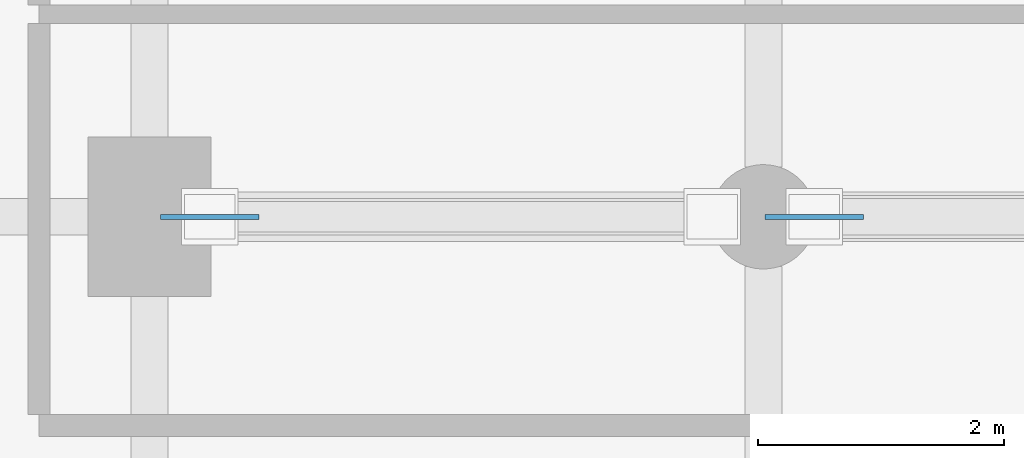
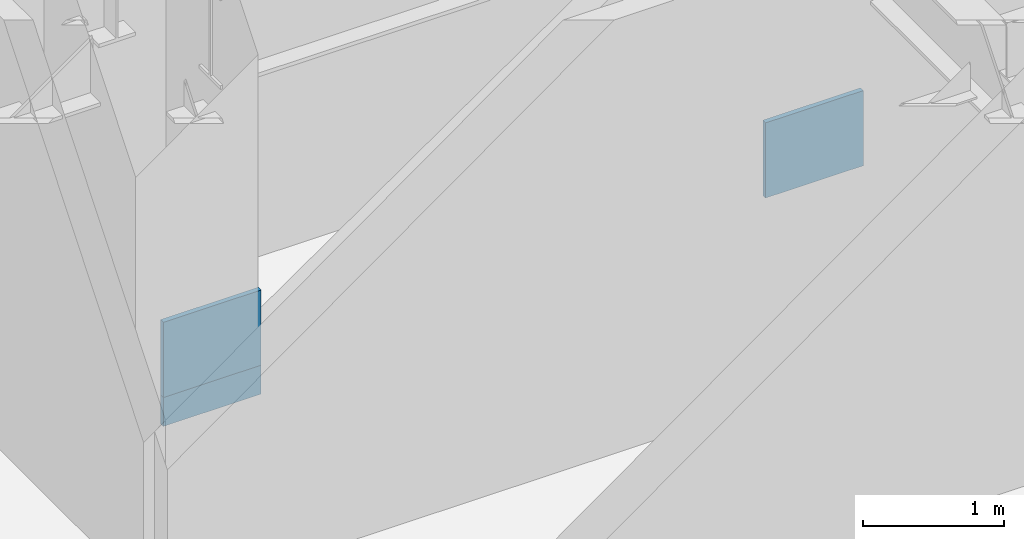
# One storey, part 3 of 11: 3 plates.
"""IFC4 building model written with IfcOpenShell, lengths in metres."""

from ifc_helpers import new_model, si_unit, direction, frame, origin, origin_2d, place, context, subcontext, project, spatial, rectangle, extrude, material, layer, layer_set, type_object, element, save


model = new_model("IFC4")

# Units and contexts
model_context = context("Model", 3, precision=1e-05, world=origin(), true_north=direction((0.0, 1.0)))
body_context = subcontext(model_context, "Body", "Model", "MODEL_VIEW")
ifc_project = project(units=[si_unit("LENGTHUNIT", "METRE"), si_unit("AREAUNIT", "SQUARE_METRE"), si_unit("VOLUMEUNIT", "CUBIC_METRE"), si_unit("PLANEANGLEUNIT", "RADIAN"), si_unit("MASSUNIT", "GRAM", prefix="KILO")], contexts=[model_context])

# Site, building, storey
site_placement = place(None, origin())
site = spatial("IfcSite", under=ifc_project, at=site_placement, CompositionType="ELEMENT")
building_placement = place(site_placement, origin())
building = spatial("IfcBuilding", under=site, at=building_placement, Name="Sulina Concourse Tower", CompositionType="ELEMENT")
storey_placement = place(building_placement, frame((0.0, 0.0, 218.60009765625)))
storey = spatial("IfcBuildingStorey", under=building, at=storey_placement, Name="L53", CompositionType="ELEMENT", Elevation=218.60009765625)

# Plates
ifc_material = material(Name="Steel S355", Category="steel")
ifc_layer = layer(ifc_material, 0.0400390625)
ifc_layer_set = layer_set([ifc_layer], Name="Steel S355")
plate_type = type_object("IfcPlateType", Name="Upper Bridge Node Gusset Plate 40mm", PredefinedType="USERDEFINED", material=ifc_layer_set)
for number, where, z_axis, x_axis, name in (
    (1, (24.489990234375, 18.0, 0.344970703125), (0.0, 0.0, 1.0), (1.0, 0.0, 0.0), "UBT-CH-1-L53 node gusset plate"),
    (2, (24.489990234375, 18.0, 0.094970703125), (0.0, 0.0, 1.0), (1.0, 0.0, 0.0), "UBT-DG-1-L53 node gusset plate"),
    (3, (29.4150390625, 18.0, 0.344970703125), (0.0, 0.0, 1.0), (1.0, 0.0, 0.0), "UBT-CH-2-L53 node gusset plate"),
):
    element("IfcPlate", number, at=place(storey_placement, frame(where, z_axis=z_axis, x_axis=x_axis)), inside=storey, type_object=plate_type, Name=name, ObjectType="GUSSET_PLATE", PredefinedType="USERDEFINED", context=body_context, shape_type="SweptSolid", body=[
        extrude(rectangle(XDim=0.800048828125, YDim=0.0400390625, at=origin_2d()), origin(), (0.0, 0.0, 1.0), 0.64990234375),
    ])

save(model, "model.ifc")
